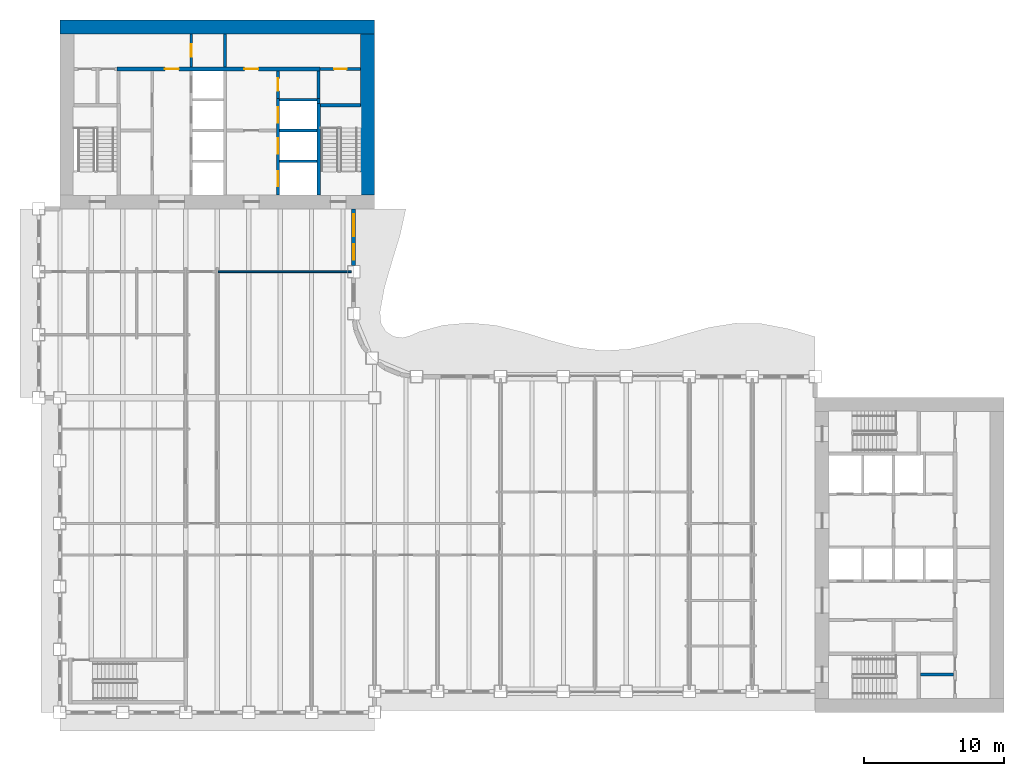
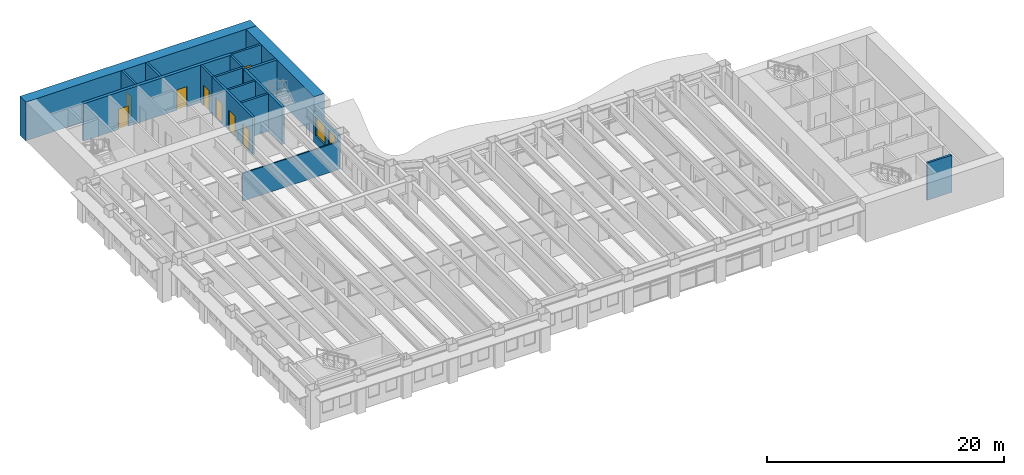
# One storey, part 10 of 17: 18 walls, 8 doors, 2 windows, 10 openings.
"""IFC4 building model written with IfcOpenShell, lengths in metres."""

from ifc_helpers import new_model, si_unit, direction, frame, frame_2d, origin, place, context, subcontext, project, spatial, rectangle, extrude, material, layer, layer_set, type_object, element, fill, save


model = new_model("IFC4")

# Units and contexts
model_context = context("Model", 3, precision=1e-05, world=origin(), true_north=direction((0.0, 1.0)))
body_context = subcontext(model_context, "Body", "Model", "MODEL_VIEW")
ifc_project = project(units=[si_unit("LENGTHUNIT", "METRE"), si_unit("AREAUNIT", "SQUARE_METRE"), si_unit("VOLUMEUNIT", "CUBIC_METRE"), si_unit("PLANEANGLEUNIT", "RADIAN"), si_unit("MASSUNIT", "GRAM", prefix="KILO")], contexts=[model_context])

# Site, building, storey
site_placement = place(None, origin())
site = spatial("IfcSite", under=ifc_project, at=site_placement, CompositionType="ELEMENT")
building_placement = place(site_placement, origin())
building = spatial("IfcBuilding", under=site, at=building_placement, Name="Sennacour Bend Tower", CompositionType="ELEMENT")
storey_placement = place(building_placement, frame((0.0, 0.0, 155.0)))
storey = spatial("IfcBuildingStorey", under=building, at=storey_placement, Name="L35", CompositionType="ELEMENT", Elevation=155.0)

# Walls
ifc_material_1 = material(Name="Concrete C60/75", Category="concrete")
ifc_layer_1 = layer(ifc_material_1, 1.0, Name="Concrete C60/75", Category="concrete")
ifc_layer_set_1 = layer_set([ifc_layer_1], Name="Concrete C60/75")
wall_type_1 = type_object("IfcWallType", Name="Core wall 1000 C60/75", PredefinedType="SHEAR", material=ifc_layer_set_1)
wall_1_placement = place(storey_placement, frame((0.0, 49.0, -0.14990234375), z_axis=(0.0, 0.0, 1.0), x_axis=(1.0, 0.0, 0.0)))
element("IfcWall", 1, at=wall_1_placement, inside=storey, type_object=wall_type_1, Name="Core B wall L35 N", PredefinedType="SHEAR", context=body_context, shape_type="SweptSolid", body=[
    extrude(rectangle(XDim=22.5, YDim=1.0, at=frame_2d((11.25, 0.0))), origin(), (0.0, 0.0, 1.0), 4.0),
])
wall_2_placement = place(storey_placement, frame((22.0, 37.0, -0.14990234375), z_axis=(0.0, 0.0, 1.0), x_axis=(0.0, 1.0, 0.0)))
element("IfcWall", 2, at=wall_2_placement, inside=storey, type_object=wall_type_1, Name="Core B wall L35 E", PredefinedType="SHEAR", context=body_context, shape_type="SweptSolid", body=[
    extrude(rectangle(XDim=11.5, YDim=1.0, at=frame_2d((5.75, 0.0))), origin(), (0.0, 0.0, 1.0), 4.0),
])
ifc_material_2 = material(Name="Plasterboard partition on steel studs", Category="steel")
ifc_layer_2 = layer(ifc_material_2, 0.1201171875, Name="Plasterboard partition on steel studs", Category="steel")
ifc_layer_set_2 = layer_set([ifc_layer_2], Name="Plasterboard partition on steel studs")
wall_type_2 = type_object("IfcWallType", Name="Partition 120", PredefinedType="PARTITIONING", material=ifc_layer_set_2)
wall_3_placement = place(storey_placement, frame((11.31005859375, 31.5, 0.0), z_axis=(0.0, 0.0, 1.0), x_axis=(1.0, 0.0, 0.0)))
element("IfcWall", 3, at=wall_3_placement, inside=storey, type_object=wall_type_2, Name="P-L35-W074ae", PredefinedType="PARTITIONING", context=body_context, shape_type="SweptSolid", body=[
    extrude(rectangle(XDim=9.5400390625, YDim=0.1201171875, at=frame_2d((4.77001953125, 0.0))), origin(), (0.0, 0.0, 1.0), 2.8701171875),
])

# Wall, opening, door
ifc_material_3 = material(Name="Fire-rated plasterboard partition on steel studs", Category="steel")
ifc_layer_3 = layer(ifc_material_3, 0.199951171875, Name="Fire-rated plasterboard partition on steel studs", Category="steel")
ifc_layer_set_3 = layer_set([ifc_layer_3], Name="Fire-rated plasterboard partition on steel studs")
wall_type_3 = type_object("IfcWallType", Name="Rated partition 200", PredefinedType="PARTITIONING", material=ifc_layer_set_3)
wall_4_placement = place(storey_placement, frame((9.39990234375, 46.14990234375, 0.0), z_axis=(0.0, 0.0, 1.0), x_axis=(0.0, 1.0, 0.0)))
wall_4 = element("IfcWall", 4, at=wall_4_placement, inside=storey, type_object=wall_type_3, Name="P-L35-W015", PredefinedType="PARTITIONING", context=body_context, shape_type="SweptSolid", body=[
    extrude(rectangle(XDim=2.35009765625, YDim=0.199951171875, at=frame_2d((1.175048828125, 0.0))), origin(), (0.0, 0.0, 1.0), 3.85009765625),
])
opening_1_placement = place(wall_4_placement, frame((0.72509765625, 0.0, 0.0)))
opening_1 = element("IfcOpeningElement", 5, at=opening_1_placement, cuts=wall_4, Name="Opening SV", PredefinedType="OPENING", context=body_context, shape_type="SweptSolid", body=[
    extrude(rectangle(XDim=0.89990234375, YDim=2.10009765625, at=frame_2d((0.449951171875, 1.050048828125))), frame((0.0, 0.10986328125, 0.0), z_axis=(0.0, -1.0, 0.0), x_axis=(1.0, 0.0, 0.0)), (0.0, 0.0, 1.0), 0.219970703125),
])
ifc_material_4 = material(Name="Painted steel", Category="steel")
door_type_1 = type_object("IfcDoorType", Name="DR-SERVICE-900", OperationType="NOTDEFINED", PredefinedType="DOOR", material=ifc_material_4)
door_1_placement = place(opening_1_placement, origin())
door_1 = element("IfcDoor", 6, at=door_1_placement, inside=storey, type_object=door_type_1, Name="Door", OperationType="SINGLE_SWING_RIGHT", OverallHeight=2.10009765625, OverallWidth=0.89990234375, PredefinedType="DOOR", context=body_context, shape_type="SweptSolid", body=[
    extrude(rectangle(XDim=0.89990234375, YDim=2.10009765625, at=frame_2d((0.449951171875, 1.050048828125))), frame((0.0, 0.02490234375, 0.0), z_axis=(0.0, -1.0, 0.0), x_axis=(1.0, 0.0, 0.0)), (0.0, 0.0, 1.0), 0.050048828125),
])
fill(opening_1, door_1)

# Wall
wall_5_placement = place(storey_placement, frame((11.800048828125, 46.14990234375, 0.0), z_axis=(0.0, 0.0, 1.0), x_axis=(0.0, 1.0, 0.0)))
element("IfcWall", 7, at=wall_5_placement, inside=storey, type_object=wall_type_3, Name="P-L35-W018", PredefinedType="PARTITIONING", context=body_context, shape_type="SweptSolid", body=[
    extrude(rectangle(XDim=2.35009765625, YDim=0.199951171875, at=frame_2d((1.175048828125, 0.0))), origin(), (0.0, 0.0, 1.0), 3.85009765625),
])

# Wall, opening, door
wall_6_placement = place(storey_placement, frame((15.60009765625, 43.89990234375, 0.0), z_axis=(0.0, 0.0, 1.0), x_axis=(0.0, 1.0, 0.0)))
wall_6 = element("IfcWall", 8, at=wall_6_placement, inside=storey, type_object=wall_type_3, Name="P-L35-W020", PredefinedType="PARTITIONING", context=body_context, shape_type="SweptSolid", body=[
    extrude(rectangle(XDim=1.9501953125, YDim=0.199951171875, at=frame_2d((0.97509765625, 0.0))), origin(), (0.0, 0.0, 1.0), 3.85009765625),
])
opening_2_placement = place(wall_6_placement, frame((0.525146484375, 0.0, 0.0)))
opening_2 = element("IfcOpeningElement", 9, at=opening_2_placement, cuts=wall_6, Name="Opening SV", PredefinedType="OPENING", context=body_context, shape_type="SweptSolid", body=[
    extrude(rectangle(XDim=0.89990234375, YDim=2.10009765625, at=frame_2d((0.449951171875, 1.050048828125))), frame((0.0, 0.10986328125, 0.0), z_axis=(0.0, -1.0, 0.0), x_axis=(1.0, 0.0, 0.0)), (0.0, 0.0, 1.0), 0.219970703125),
])
door_2_placement = place(opening_2_placement, origin())
door_2 = element("IfcDoor", 10, at=door_2_placement, inside=storey, type_object=door_type_1, Name="Door", OperationType="SINGLE_SWING_RIGHT", OverallHeight=2.10009765625, OverallWidth=0.89990234375, PredefinedType="DOOR", context=body_context, shape_type="SweptSolid", body=[
    extrude(rectangle(XDim=0.89990234375, YDim=2.10009765625, at=frame_2d((0.449951171875, 1.050048828125))), frame((0.0, 0.02490234375, 0.0), z_axis=(0.0, -1.0, 0.0), x_axis=(1.0, 0.0, 0.0)), (0.0, 0.0, 1.0), 0.050048828125),
])
fill(opening_2, door_2)

# Walls
wall_7_placement = place(storey_placement, frame((18.5, 43.89990234375, 0.0), z_axis=(0.0, 0.0, 1.0), x_axis=(0.0, 1.0, 0.0)))
element("IfcWall", 11, at=wall_7_placement, inside=storey, type_object=wall_type_3, Name="P-L35-W024", PredefinedType="PARTITIONING", context=body_context, shape_type="SweptSolid", body=[
    extrude(rectangle(XDim=1.9501953125, YDim=0.199951171875, at=frame_2d((0.97509765625, 0.0))), origin(), (0.0, 0.0, 1.0), 3.85009765625),
])
wall_8_placement = place(storey_placement, frame((61.52490234375, 2.699951171875, 0.0), z_axis=(0.0, 0.0, 1.0), x_axis=(1.0, 0.0, 0.0)))
element("IfcWall", 12, at=wall_8_placement, inside=storey, type_object=wall_type_3, Name="P-L35-W050", PredefinedType="PARTITIONING", context=body_context, shape_type="SweptSolid", body=[
    extrude(rectangle(XDim=2.375, YDim=0.199951171875, at=frame_2d((1.1875, 0.0))), origin(), (0.0, 0.0, 1.0), 3.85009765625),
])

# Wall, opening, door
wall_9_placement = place(storey_placement, frame((18.60009765625, 46.0, 0.0), z_axis=(0.0, 0.0, 1.0), x_axis=(1.0, 0.0, 0.0)))
wall_9 = element("IfcWall", 13, at=wall_9_placement, inside=storey, type_object=wall_type_3, Name="P-L35-W088", PredefinedType="PARTITIONING", context=body_context, shape_type="SweptSolid", body=[
    extrude(rectangle(XDim=2.89990234375, YDim=0.199951171875, at=frame_2d((1.449951171875, 0.0))), origin(), (0.0, 0.0, 1.0), 3.85009765625),
])
opening_3_placement = place(wall_9_placement, frame((1.0, 0.0, 0.0)))
opening_3 = element("IfcOpeningElement", 14, at=opening_3_placement, cuts=wall_9, Name="Opening WD", PredefinedType="OPENING", context=body_context, shape_type="SweptSolid", body=[
    extrude(rectangle(XDim=0.89990234375, YDim=2.10009765625, at=frame_2d((0.449951171875, 1.050048828125))), frame((0.0, 0.10986328125, 0.0), z_axis=(0.0, -1.0, 0.0), x_axis=(1.0, 0.0, 0.0)), (0.0, 0.0, 1.0), 0.219970703125),
])
ifc_material_5 = material(Name="Timber", Category="wood")
door_type_2 = type_object("IfcDoorType", Name="DR-WC-900", OperationType="NOTDEFINED", PredefinedType="DOOR", material=ifc_material_5)
door_3_placement = place(opening_3_placement, origin())
door_3 = element("IfcDoor", 15, at=door_3_placement, inside=storey, type_object=door_type_2, Name="Door", OperationType="SINGLE_SWING_LEFT", OverallHeight=2.10009765625, OverallWidth=0.89990234375, PredefinedType="DOOR", context=body_context, shape_type="SweptSolid", body=[
    extrude(rectangle(XDim=0.89990234375, YDim=2.10009765625, at=frame_2d((0.449951171875, 1.050048828125))), frame((0.0, 0.02490234375, 0.0), z_axis=(0.0, -1.0, 0.0), x_axis=(1.0, 0.0, 0.0)), (0.0, 0.0, 1.0), 0.050048828125),
])
fill(opening_3, door_3)

# Wall, openings, windows
ifc_material_6 = material(Name="Warm limestone cladding", Category="masonry")
ifc_layer_4 = layer(ifc_material_6, 0.050048828125, Name="Warm limestone cladding", Category="masonry")
ifc_material_7 = material(Name="Precast concrete C40/50", Category="concrete")
ifc_layer_5 = layer(ifc_material_7, 0.25, Name="Precast concrete C40/50", Category="concrete")
ifc_layer_set_4 = layer_set([ifc_layer_4, ifc_layer_5], Name="Precast concrete C40/50 with limestone cladding")
wall_type_4 = type_object("IfcWallType", Name="STONE-CLAD PRECAST SPANDREL 300", PredefinedType="STANDARD", material=ifc_layer_set_4)
wall_10_placement = place(storey_placement, frame((21.0, 31.949951171875, 0.0), z_axis=(0.0, 0.0, 1.0), x_axis=(0.0, 1.0, 0.0)))
wall_10 = element("IfcWall", 16, at=wall_10_placement, inside=storey, type_object=wall_type_4, Name="Stone spandrel and pier wall L35 15.01", PredefinedType="STANDARD", context=body_context, shape_type="SweptSolid", body=[
    extrude(rectangle(XDim=4.050048828125, YDim=0.300048828125, at=frame_2d((2.02490234375, 0.0))), origin(), (0.0, 0.0, 1.0), 3.14892578125),
])
opening_4_placement = place(wall_10_placement, frame((0.39990234375, 0.0, 0.89990234375)))
opening_4 = element("IfcOpeningElement", 17, at=opening_4_placement, cuts=wall_10, Name="Opening W19", PredefinedType="OPENING", context=body_context, shape_type="SweptSolid", body=[
    extrude(rectangle(XDim=1.10009765625, YDim=2.0, at=frame_2d((0.550048828125, 1.0))), frame((0.0, 0.16015625, 0.0), z_axis=(0.0, -1.0, 0.0), x_axis=(1.0, 0.0, 0.0)), (0.0, 0.0, 1.0), 0.320068359375),
])
opening_5_placement = place(wall_10_placement, frame((2.10009765625, 0.0, 0.89990234375)))
opening_5 = element("IfcOpeningElement", 18, at=opening_5_placement, cuts=wall_10, Name="Opening W9", PredefinedType="OPENING", context=body_context, shape_type="SweptSolid", body=[
    extrude(rectangle(XDim=1.550048828125, YDim=2.0, at=frame_2d((0.77490234375, 1.0))), frame((0.0, 0.16015625, 0.0), z_axis=(0.0, -1.0, 0.0), x_axis=(1.0, 0.0, 0.0)), (0.0, 0.0, 1.0), 0.320068359375),
])
ifc_material_8 = material(Name="Clear low-emissivity glass", Category="glass")
window_type_1 = type_object("IfcWindowType", Name="WIN-RIBBON-1100x2000", PartitioningType="SINGLE_PANEL", PredefinedType="WINDOW", material=ifc_material_8)
window_1_placement = place(opening_4_placement, origin())
window_1 = element("IfcWindow", 19, at=window_1_placement, inside=storey, type_object=window_type_1, Name="Ribbon window L35 15.01.0", OverallHeight=2.0, OverallWidth=1.10009765625, PartitioningType="SINGLE_PANEL", PredefinedType="WINDOW", context=body_context, shape_type="SweptSolid", body=[
    extrude(rectangle(XDim=1.10009765625, YDim=2.0, at=frame_2d((0.550048828125, 1.0))), frame((0.0, 0.030029296875, 0.0), z_axis=(0.0, -1.0, 0.0), x_axis=(1.0, 0.0, 0.0)), (0.0, 0.0, 1.0), 0.06005859375),
])
fill(opening_4, window_1)
window_type_2 = type_object("IfcWindowType", Name="WIN-RIBBON-1550x2000", PartitioningType="SINGLE_PANEL", PredefinedType="WINDOW", material=ifc_material_8)
window_2_placement = place(opening_5_placement, origin())
window_2 = element("IfcWindow", 20, at=window_2_placement, inside=storey, type_object=window_type_2, Name="Ribbon window L35 15.01.1", OverallHeight=2.0, OverallWidth=1.550048828125, PartitioningType="SINGLE_PANEL", PredefinedType="WINDOW", context=body_context, shape_type="SweptSolid", body=[
    extrude(rectangle(XDim=1.550048828125, YDim=2.0, at=frame_2d((0.77490234375, 1.0))), frame((0.0, 0.030029296875, 0.0), z_axis=(0.0, -1.0, 0.0), x_axis=(1.0, 0.0, 0.0)), (0.0, 0.0, 1.0), 0.06005859375),
])
fill(opening_5, window_2)

# Wall, openings, doors
ifc_material_9 = material(Name="Concrete C50/60", Category="concrete")
ifc_layer_6 = layer(ifc_material_9, 0.199951171875, Name="Concrete C50/60", Category="concrete")
ifc_layer_set_5 = layer_set([ifc_layer_6], Name="Concrete C50/60")
wall_type_5 = type_object("IfcWallType", Name="Shaft wall 200", PredefinedType="SOLIDWALL", material=ifc_layer_set_5)
wall_11_placement = place(storey_placement, frame((15.60009765625, 37.0, 0.0), z_axis=(0.0, 0.0, 1.0), x_axis=(0.0, 1.0, 0.0)))
wall_11 = element("IfcWall", 21, at=wall_11_placement, inside=storey, type_object=wall_type_5, Name="P-L35-W019", PredefinedType="SOLIDWALL", context=body_context, shape_type="SweptSolid", body=[
    extrude(rectangle(XDim=6.89990234375, YDim=0.199951171875, at=frame_2d((3.449951171875, 0.0))), origin(), (0.0, 0.0, 1.0), 3.85009765625),
])
opening_6_placement = place(wall_11_placement, frame((0.60009765625, 0.0, 0.011962890625)))
opening_6 = element("IfcOpeningElement", 22, at=opening_6_placement, cuts=wall_11, Name="Opening FLD", PredefinedType="OPENING", context=body_context, shape_type="SweptSolid", body=[
    extrude(rectangle(XDim=1.10009765625, YDim=2.10009765625, at=frame_2d((0.550048828125, 1.050048828125))), frame((0.0, 0.10986328125, 0.0), z_axis=(0.0, -1.0, 0.0), x_axis=(1.0, 0.0, 0.0)), (0.0, 0.0, 1.0), 0.219970703125),
])
opening_7_placement = place(wall_11_placement, frame((2.949951171875, 0.0, 0.011962890625)))
opening_7 = element("IfcOpeningElement", 23, at=opening_7_placement, cuts=wall_11, Name="Opening FLD", PredefinedType="OPENING", context=body_context, shape_type="SweptSolid", body=[
    extrude(rectangle(XDim=1.10009765625, YDim=2.10009765625, at=frame_2d((0.550048828125, 1.050048828125))), frame((0.0, 0.10986328125, 0.0), z_axis=(0.0, -1.0, 0.0), x_axis=(1.0, 0.0, 0.0)), (0.0, 0.0, 1.0), 0.219970703125),
])
opening_8_placement = place(wall_11_placement, frame((5.14990234375, 0.0, 0.011962890625)))
opening_8 = element("IfcOpeningElement", 24, at=opening_8_placement, cuts=wall_11, Name="Opening LD", PredefinedType="OPENING", context=body_context, shape_type="SweptSolid", body=[
    extrude(rectangle(XDim=1.10009765625, YDim=2.10009765625, at=frame_2d((0.550048828125, 1.050048828125))), frame((0.0, 0.10986328125, 0.0), z_axis=(0.0, -1.0, 0.0), x_axis=(1.0, 0.0, 0.0)), (0.0, 0.0, 1.0), 0.219970703125),
])
ifc_material_10 = material(Name="Stainless steel", Category="steel")
door_type_3 = type_object("IfcDoorType", Name="DR-FF-LANDING-1100", OperationType="NOTDEFINED", PredefinedType="DOOR", material=ifc_material_10)
door_4_placement = place(opening_6_placement, origin())
door_4 = element("IfcDoor", 25, at=door_4_placement, inside=storey, type_object=door_type_3, Name="Fire service lift landing door FB1", OperationType="SLIDING_TO_RIGHT", OverallHeight=2.10009765625, OverallWidth=1.10009765625, PredefinedType="DOOR", context=body_context, shape_type="SweptSolid", body=[
    extrude(rectangle(XDim=1.10009765625, YDim=2.10009765625, at=frame_2d((0.550048828125, 1.050048828125))), frame((0.0, 0.02490234375, 0.0), z_axis=(0.0, -1.0, 0.0), x_axis=(1.0, 0.0, 0.0)), (0.0, 0.0, 1.0), 0.050048828125),
])
fill(opening_6, door_4)
door_5_placement = place(opening_7_placement, origin())
door_5 = element("IfcDoor", 26, at=door_5_placement, inside=storey, type_object=door_type_3, Name="Fire service lift landing door FB2", OperationType="SLIDING_TO_LEFT", OverallHeight=2.10009765625, OverallWidth=1.10009765625, PredefinedType="DOOR", context=body_context, shape_type="SweptSolid", body=[
    extrude(rectangle(XDim=1.10009765625, YDim=2.10009765625, at=frame_2d((0.550048828125, 1.050048828125))), frame((0.0, 0.02490234375, 0.0), z_axis=(0.0, -1.0, 0.0), x_axis=(1.0, 0.0, 0.0)), (0.0, 0.0, 1.0), 0.050048828125),
])
fill(opening_7, door_5)
door_type_4 = type_object("IfcDoorType", Name="DR-LANDING-1100", OperationType="NOTDEFINED", PredefinedType="DOOR", material=ifc_material_10)
door_6_placement = place(opening_8_placement, origin())
door_6 = element("IfcDoor", 27, at=door_6_placement, inside=storey, type_object=door_type_4, Name="Lift landing door MB5", OperationType="SLIDING_TO_RIGHT", OverallHeight=2.10009765625, OverallWidth=1.10009765625, PredefinedType="DOOR", context=body_context, shape_type="SweptSolid", body=[
    extrude(rectangle(XDim=1.10009765625, YDim=2.10009765625, at=frame_2d((0.550048828125, 1.050048828125))), frame((0.0, 0.02490234375, 0.0), z_axis=(0.0, -1.0, 0.0), x_axis=(1.0, 0.0, 0.0)), (0.0, 0.0, 1.0), 0.050048828125),
])
fill(opening_8, door_6)

# Walls
wall_12_placement = place(storey_placement, frame((18.5, 43.52490234375, 0.0), z_axis=(0.0, 0.0, 1.0), x_axis=(0.0, 1.0, 0.0)))
element("IfcWall", 28, at=wall_12_placement, inside=storey, type_object=wall_type_5, Name="P-L35-W023", PredefinedType="SOLIDWALL", context=body_context, shape_type="SweptSolid", body=[
    extrude(rectangle(XDim=0.375, YDim=0.199951171875, at=frame_2d((0.1875, 0.0))), origin(), (0.0, 0.0, 1.0), 3.85009765625),
])
for number, where, z_axis, x_axis, name in (
    (29, (15.699951171875, 39.39990234375, 0.0), (0.0, 0.0, 1.0), (1.0, 0.0, 0.0), "P-L35-W077"),
    (30, (15.699951171875, 41.60009765625, 0.0), (0.0, 0.0, 1.0), (1.0, 0.0, 0.0), "P-L35-W081"),
):
    element("IfcWall", number, at=place(storey_placement, frame(where, z_axis=z_axis, x_axis=x_axis)), inside=storey, type_object=wall_type_5, Name=name, PredefinedType="SOLIDWALL", context=body_context, shape_type="SweptSolid", body=[
        extrude(rectangle(XDim=2.675048828125, YDim=0.199951171875, at=frame_2d((1.33740234375, 0.0))), origin(), (0.0, 0.0, 1.0), 3.85009765625),
    ])
wall_13_placement = place(storey_placement, frame((15.699951171875, 43.800048828125, 0.0), z_axis=(0.0, 0.0, 1.0), x_axis=(1.0, 0.0, 0.0)))
element("IfcWall", 31, at=wall_13_placement, inside=storey, type_object=wall_type_5, Name="P-L35-W085", PredefinedType="SOLIDWALL", context=body_context, shape_type="SweptSolid", body=[
    extrude(rectangle(XDim=2.699951171875, YDim=0.199951171875, at=frame_2d((1.35009765625, 0.0))), origin(), (0.0, 0.0, 1.0), 3.85009765625),
])

# Wall, openings, doors
ifc_layer_7 = layer(ifc_material_1, 0.300048828125, Name="Concrete C60/75", Category="concrete")
ifc_layer_set_6 = layer_set([ifc_layer_7], Name="Concrete C60/75")
wall_type_6 = type_object("IfcWallType", Name="Spine wall 300", PredefinedType="SHEAR", material=ifc_layer_set_6)
wall_14_placement = place(storey_placement, frame((4.10009765625, 46.0, 0.0), z_axis=(0.0, 0.0, 1.0), x_axis=(1.0, 0.0, 0.0)))
wall_14 = element("IfcWall", 32, at=wall_14_placement, inside=storey, type_object=wall_type_6, Name="P-L35-W087", PredefinedType="SHEAR", context=body_context, shape_type="SweptSolid", body=[
    extrude(rectangle(XDim=14.5, YDim=0.300048828125, at=frame_2d((7.25, 0.0))), origin(), (0.0, 0.0, 1.0), 3.85009765625),
])
opening_9_placement = place(wall_14_placement, frame((3.39990234375, 0.0, 0.0)))
opening_9 = element("IfcOpeningElement", 33, at=opening_9_placement, cuts=wall_14, Name="Opening CD2", PredefinedType="OPENING", context=body_context, shape_type="SweptSolid", body=[
    extrude(rectangle(XDim=1.0, YDim=2.10009765625, at=frame_2d((0.5, 1.050048828125))), frame((0.0, 0.16015625, 0.0), z_axis=(0.0, -1.0, 0.0), x_axis=(1.0, 0.0, 0.0)), (0.0, 0.0, 1.0), 0.320068359375),
])
opening_10_placement = place(wall_14_placement, frame((9.099853515625, 0.0, 0.0)))
opening_10 = element("IfcOpeningElement", 34, at=opening_10_placement, cuts=wall_14, Name="Opening CD2", PredefinedType="OPENING", context=body_context, shape_type="SweptSolid", body=[
    extrude(rectangle(XDim=1.0, YDim=2.10009765625, at=frame_2d((0.5, 1.050048828125))), frame((0.0, 0.16015625, 0.0), z_axis=(0.0, -1.0, 0.0), x_axis=(1.0, 0.0, 0.0)), (0.0, 0.0, 1.0), 0.320068359375),
])
door_type_5 = type_object("IfcDoorType", Name="DR-LOBBY-1000", OperationType="NOTDEFINED", PredefinedType="DOOR", material=ifc_material_4)
door_7_placement = place(opening_9_placement, origin())
door_7 = element("IfcDoor", 35, at=door_7_placement, inside=storey, type_object=door_type_5, Name="Door", OperationType="SINGLE_SWING_LEFT", OverallHeight=2.10009765625, OverallWidth=1.0, PredefinedType="DOOR", context=body_context, shape_type="SweptSolid", body=[
    extrude(rectangle(XDim=1.0, YDim=2.10009765625, at=frame_2d((0.5, 1.050048828125))), frame((0.0, 0.02490234375, 0.0), z_axis=(0.0, -1.0, 0.0), x_axis=(1.0, 0.0, 0.0)), (0.0, 0.0, 1.0), 0.050048828125),
])
fill(opening_9, door_7)
door_8_placement = place(opening_10_placement, origin())
door_8 = element("IfcDoor", 36, at=door_8_placement, inside=storey, type_object=door_type_5, Name="Door", OperationType="SINGLE_SWING_RIGHT", OverallHeight=2.10009765625, OverallWidth=1.0, PredefinedType="DOOR", context=body_context, shape_type="SweptSolid", body=[
    extrude(rectangle(XDim=1.0, YDim=2.10009765625, at=frame_2d((0.5, 1.050048828125))), frame((0.0, 0.02490234375, 0.0), z_axis=(0.0, -1.0, 0.0), x_axis=(1.0, 0.0, 0.0)), (0.0, 0.0, 1.0), 0.050048828125),
])
fill(opening_10, door_8)

# Walls
ifc_layer_8 = layer(ifc_material_1, 0.25, Name="Concrete C60/75", Category="concrete")
ifc_layer_set_7 = layer_set([ifc_layer_8], Name="Concrete C60/75")
wall_type_7 = type_object("IfcWallType", Name="Stair wall 250", PredefinedType="SHEAR", material=ifc_layer_set_7)
wall_15_placement = place(storey_placement, frame((18.5, 37.0, 0.0), z_axis=(0.0, 0.0, 1.0), x_axis=(0.0, 1.0, 0.0)))
element("IfcWall", 37, at=wall_15_placement, inside=storey, type_object=wall_type_7, Name="P-L35-W022", PredefinedType="SHEAR", context=body_context, shape_type="SweptSolid", body=[
    extrude(rectangle(XDim=6.52490234375, YDim=0.25, at=frame_2d((3.262451171875, 0.0))), origin(), (0.0, 0.0, 1.0), 3.85009765625),
])
wall_16_placement = place(storey_placement, frame((18.625, 43.39990234375, 0.0), z_axis=(0.0, 0.0, 1.0), x_axis=(1.0, 0.0, 0.0)))
element("IfcWall", 38, at=wall_16_placement, inside=storey, type_object=wall_type_7, Name="P-L35-W083", PredefinedType="SHEAR", context=body_context, shape_type="SweptSolid", body=[
    extrude(rectangle(XDim=2.875, YDim=0.25, at=frame_2d((1.4375, 0.0))), origin(), (0.0, 0.0, 1.0), 3.85009765625),
])

save(model, "model.ifc")
